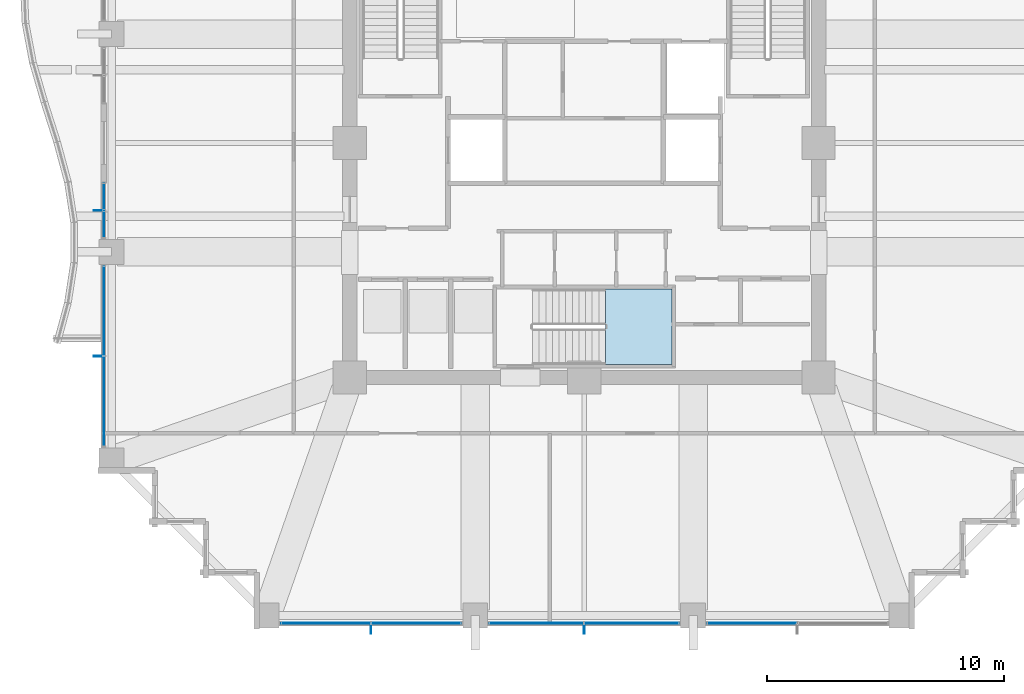
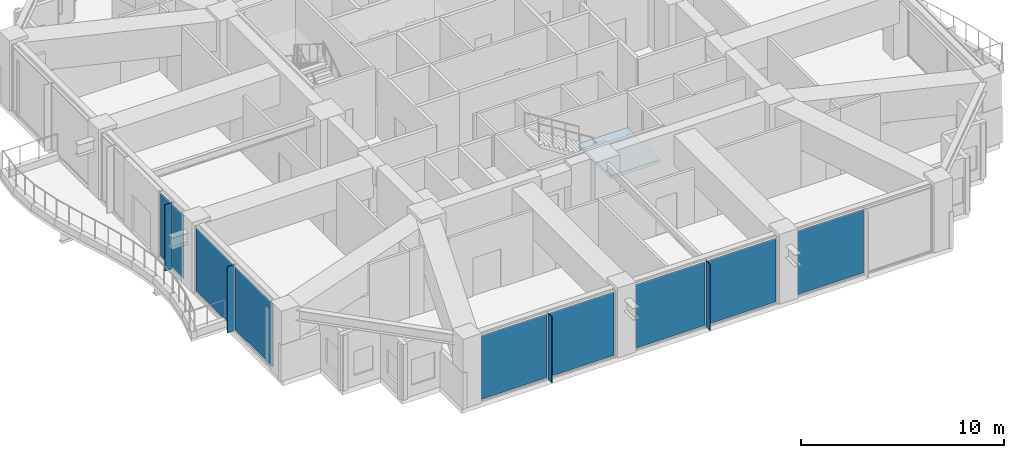
# One storey, part 28 of 40: 13 plates, 1 slab, 6 elements without a shape of their own.
"""IFC4 building model written with IfcOpenShell, lengths in metres."""

from ifc_helpers import new_model, si_unit, direction, frame, origin, origin_2d, place, context, subcontext, project, spatial, polyline, rectangle, outline, extrude, material, layer, layer_set, type_object, element, aggregate, save


model = new_model("IFC4")

# Units and contexts
model_context = context("Model", 3, precision=1e-05, world=origin(), true_north=direction((0.0, 1.0)))
body_context = subcontext(model_context, "Body", "Model", "MODEL_VIEW")
ifc_project = project(units=[si_unit("LENGTHUNIT", "METRE"), si_unit("AREAUNIT", "SQUARE_METRE"), si_unit("VOLUMEUNIT", "CUBIC_METRE"), si_unit("PLANEANGLEUNIT", "RADIAN"), si_unit("MASSUNIT", "GRAM", prefix="KILO")], contexts=[model_context])

# Site, building, storey
site_placement = place(None, origin())
site = spatial("IfcSite", under=ifc_project, at=site_placement, CompositionType="ELEMENT")
building_placement = place(site_placement, origin())
building = spatial("IfcBuilding", under=site, at=building_placement, Name="Kolvaren Belvedere", CompositionType="ELEMENT")
storey_placement = place(building_placement, frame((0.0, 0.0, 68.0)))
storey = spatial("IfcBuildingStorey", under=building, at=storey_placement, Name="L19", CompositionType="ELEMENT", Elevation=68.0)

# Curtain wall, plate
ifc_material_1 = material(Name="Anodised pale-metal aluminium AA 6063-T6", Category="aluminium")
curtain_wall_type = type_object("IfcCurtainWallType", Name="CW-Z2-MID", PredefinedType="NOTDEFINED", material=ifc_material_1)
curtain_wall_1_placement = place(storey_placement, origin())
curtain_wall_1 = element("IfcCurtainWall", 1, at=curtain_wall_1_placement, inside=storey, type_object=curtain_wall_type, Name="L19 Unitised Curtain Wall FCW-L19-S-B1", PredefinedType="NOTDEFINED")
ifc_material_2 = material(Name="Low-iron triple insulated glass", Category="glass")
ifc_layer_1 = layer(ifc_material_2, 0.028076171875)
ifc_layer_set_1 = layer_set([ifc_layer_1], Name="Low-iron triple insulated glass")
plate_type_1 = type_object("IfcPlateType", Name="CW-PNL-VIS28", PredefinedType="CURTAIN_PANEL", material=ifc_layer_set_1)
plate_1_placement = place(storey_placement, frame((7.0888671875, -20.280029296875, 0.080078125), z_axis=(0.0, 0.0, 1.0), x_axis=(-1.0, 0.0, 0.0)))
plate_1 = element("IfcPlate", 2, at=plate_1_placement, type_object=plate_type_1, Name="FCW-L19-S-B1 Vision Glazing Panel 2", PredefinedType="CURTAIN_PANEL", context=body_context, shape_type="SweptSolid", body=[
    extrude(rectangle(XDim=3.742431640625, YDim=0.028076171875, at=origin_2d()), origin(), (0.0, 0.0, 1.0), 3.820068359375),
])
aggregate(curtain_wall_1, [plate_1])

# Curtain wall, plates
curtain_wall_2_placement = place(storey_placement, origin())
curtain_wall_2 = element("IfcCurtainWall", 3, at=curtain_wall_2_placement, inside=storey, type_object=curtain_wall_type, Name="L19 Unitised Curtain Wall FCW-L19-S-B2", PredefinedType="NOTDEFINED")
plate_2_placement = place(storey_placement, frame((2.01123046875, -20.280029296875, 0.080078125), z_axis=(0.0, 0.0, 1.0), x_axis=(-1.0, 0.0, 0.0)))
plate_2 = element("IfcPlate", 4, at=plate_2_placement, type_object=plate_type_1, Name="FCW-L19-S-B2 Vision Glazing Panel 1", PredefinedType="CURTAIN_PANEL", context=body_context, shape_type="SweptSolid", body=[
    extrude(rectangle(XDim=3.9423828125, YDim=0.028076171875, at=origin_2d()), origin(), (0.0, 0.0, 1.0), 3.820068359375),
])
plate_3_placement = place(storey_placement, frame((-2.01123046875, -20.280029296875, 0.080078125), z_axis=(0.0, 0.0, 1.0), x_axis=(-1.0, 0.0, 0.0)))
plate_3 = element("IfcPlate", 5, at=plate_3_placement, type_object=plate_type_1, Name="FCW-L19-S-B2 Vision Glazing Panel 2", PredefinedType="CURTAIN_PANEL", context=body_context, shape_type="SweptSolid", body=[
    extrude(rectangle(XDim=3.9423828125, YDim=0.028076171875, at=origin_2d()), origin(), (0.0, 0.0, 1.0), 3.820068359375),
])
aggregate(curtain_wall_2, [plate_2, plate_3])

curtain_wall_3_placement = place(storey_placement, origin())
curtain_wall_3 = element("IfcCurtainWall", 6, at=curtain_wall_3_placement, inside=storey, type_object=curtain_wall_type, Name="L19 Unitised Curtain Wall FCW-L19-S-B3", PredefinedType="NOTDEFINED")
plate_4_placement = place(storey_placement, frame((-7.0888671875, -20.280029296875, 0.080078125), z_axis=(0.0, 0.0, 1.0), x_axis=(-1.0, 0.0, 0.0)))
plate_4 = element("IfcPlate", 7, at=plate_4_placement, type_object=plate_type_1, Name="FCW-L19-S-B3 Vision Glazing Panel 1", PredefinedType="CURTAIN_PANEL", context=body_context, shape_type="SweptSolid", body=[
    extrude(rectangle(XDim=3.742431640625, YDim=0.028076171875, at=origin_2d()), origin(), (0.0, 0.0, 1.0), 3.820068359375),
])
plate_5_placement = place(storey_placement, frame((-10.9111328125, -20.280029296875, 0.080078125), z_axis=(0.0, 0.0, 1.0), x_axis=(-1.0, 0.0, 0.0)))
plate_5 = element("IfcPlate", 8, at=plate_5_placement, type_object=plate_type_1, Name="FCW-L19-S-B3 Vision Glazing Panel 2", PredefinedType="CURTAIN_PANEL", context=body_context, shape_type="SweptSolid", body=[
    extrude(rectangle(XDim=3.742431640625, YDim=0.028076171875, at=origin_2d()), origin(), (0.0, 0.0, 1.0), 3.820068359375),
])
aggregate(curtain_wall_3, [plate_4, plate_5])

curtain_wall_4_placement = place(storey_placement, origin())
curtain_wall_4 = element("IfcCurtainWall", 9, at=curtain_wall_4_placement, inside=storey, type_object=curtain_wall_type, Name="L19 Unitised Curtain Wall FCW-L19-W1-B1", PredefinedType="NOTDEFINED")
plate_6_placement = place(storey_placement, frame((-20.280029296875, -10.9111328125, 0.080078125), z_axis=(0.0, 0.0, 1.0), x_axis=(0.0, 1.0, 0.0)))
plate_6 = element("IfcPlate", 10, at=plate_6_placement, type_object=plate_type_1, Name="FCW-L19-W1-B1 Vision Glazing Panel 1", PredefinedType="CURTAIN_PANEL", context=body_context, shape_type="SweptSolid", body=[
    extrude(rectangle(XDim=3.742431640625, YDim=0.028076171875, at=origin_2d()), origin(), (0.0, 0.0, 1.0), 3.820068359375),
])
plate_7_placement = place(storey_placement, frame((-20.280029296875, -7.0888671875, 0.080078125), z_axis=(0.0, 0.0, 1.0), x_axis=(0.0, 1.0, 0.0)))
plate_7 = element("IfcPlate", 11, at=plate_7_placement, type_object=plate_type_1, Name="FCW-L19-W1-B1 Vision Glazing Panel 2", PredefinedType="CURTAIN_PANEL", context=body_context, shape_type="SweptSolid", body=[
    extrude(rectangle(XDim=3.742431640625, YDim=0.028076171875, at=origin_2d()), origin(), (0.0, 0.0, 1.0), 3.820068359375),
])
aggregate(curtain_wall_4, [plate_6, plate_7])

curtain_wall_5_placement = place(storey_placement, origin())
curtain_wall_5 = element("IfcCurtainWall", 12, at=curtain_wall_5_placement, inside=storey, type_object=curtain_wall_type, Name="L19 Unitised Curtain Wall FCW-L19-W1-B2", PredefinedType="NOTDEFINED")
plate_8_placement = place(storey_placement, frame((-20.280029296875, -3.43701171875, 0.080078125), z_axis=(0.0, 0.0, 1.0), x_axis=(0.0, 1.0, 0.0)))
plate_8 = element("IfcPlate", 13, at=plate_8_placement, type_object=plate_type_1, Name="FCW-L19-W1-B2 Vision Glazing Panel 1", PredefinedType="CURTAIN_PANEL", context=body_context, shape_type="SweptSolid", body=[
    extrude(rectangle(XDim=1.09130859375, YDim=0.028076171875, at=origin_2d()), origin(), (0.0, 0.0, 1.0), 3.820068359375),
])
plate_9_placement = place(storey_placement, frame((-20.280029296875, -2.265625, 0.080078125), z_axis=(0.0, 0.0, 1.0), x_axis=(0.0, 1.0, 0.0)))
plate_9 = element("IfcPlate", 14, at=plate_9_placement, type_object=plate_type_1, Name="FCW-L19-W1-B2 Vision Glazing Panel 2", PredefinedType="CURTAIN_PANEL", context=body_context, shape_type="SweptSolid", body=[
    extrude(rectangle(XDim=1.09130859375, YDim=0.028076171875, at=origin_2d()), origin(), (0.0, 0.0, 1.0), 3.820068359375),
])
aggregate(curtain_wall_5, [plate_8, plate_9])

# Plates
ifc_material_3 = material(Name="Anodised pale-metal aluminium AA 6063-T6", Category="aluminium")
ifc_layer_2 = layer(ifc_material_3, 0.033935546875)
ifc_layer_set_2 = layer_set([ifc_layer_2], Name="Anodised pale-metal aluminium AA 6063-T6")
plate_type_2 = type_object("IfcPlateType", Name="FIN-VERT-380", PredefinedType="USERDEFINED", material=ifc_layer_set_2)
for number, where, z_axis, x_axis, name in (
    (15, (0.0, -20.52490234375, 0.0), (0.0, 0.0, 1.0), (0.0, 1.0, 0.0), "L19 Pale-Metal Vertical Shading Fin FCW-L19-S-B2-1"),
    (16, (-9.0, -20.52490234375, 0.0), (0.0, 0.0, 1.0), (0.0, 1.0, 0.0), "L19 Pale-Metal Vertical Shading Fin FCW-L19-S-B3-1"),
    (17, (-20.52490234375, -9.0, 0.0), (0.0, 0.0, 1.0), (1.0, 0.0, 0.0), "L19 Pale-Metal Vertical Shading Fin FCW-L19-W1-B1-1"),
    (18, (-20.52490234375, -2.851318359375, 0.0), (0.0, 0.0, 1.0), (1.0, 0.0, 0.0), "L19 Pale-Metal Vertical Shading Fin FCW-L19-W1-B2-1"),
):
    element("IfcPlate", number, at=place(storey_placement, frame(where, z_axis=z_axis, x_axis=x_axis)), inside=storey, type_object=plate_type_2, Name=name, ObjectType="VERTICAL FIN", PredefinedType="USERDEFINED", context=body_context, shape_type="SweptSolid", body=[
        extrude(rectangle(XDim=0.3798828125, YDim=0.033935546875, at=origin_2d()), origin(), (0.0, 0.0, 1.0), 3.97998046875),
    ])

# Stair, slab
ifc_material_4 = material(Name="Concrete C50/60", Category="concrete")
stair_type = type_object("IfcStairType", Name="ST-CORE-1520", PredefinedType="HALF_TURN_STAIR", material=ifc_material_4)
stair_placement = place(storey_placement, origin())
stair = element("IfcStair", 19, at=stair_placement, inside=storey, type_object=stair_type, Name="L19 Protected Exit Stair ST-3", PredefinedType="HALF_TURN_STAIR")
ifc_material_5 = material(Name="Concrete C50/60", Category="concrete")
ifc_layer_3 = layer(ifc_material_5, 0.260009765625)
ifc_layer_set_3 = layer_set([ifc_layer_3], Name="Concrete C50/60")
slab_type = type_object("IfcSlabType", Name="SL-LAND-260", PredefinedType="LANDING", material=ifc_layer_set_3)
slab_placement = place(storey_placement, frame((0.0, 0.0, 1.89990234375)))
slab = element("IfcSlab", 20, at=slab_placement, type_object=slab_type, Name="ST-3 landing 1", PredefinedType="LANDING", context=body_context, shape_type="SweptSolid", body=[
    extrude(outline(polyline([(0.89990234375, -9.35009765625), (3.699951171875, -9.35009765625), (3.699951171875, -6.159912109375), (0.89990234375, -6.159912109375), (0.89990234375, -9.35009765625)])), origin(), (0.0, 0.0, 1.0), 0.2001953125),
])
aggregate(stair, [slab])

save(model, "model.ifc")
